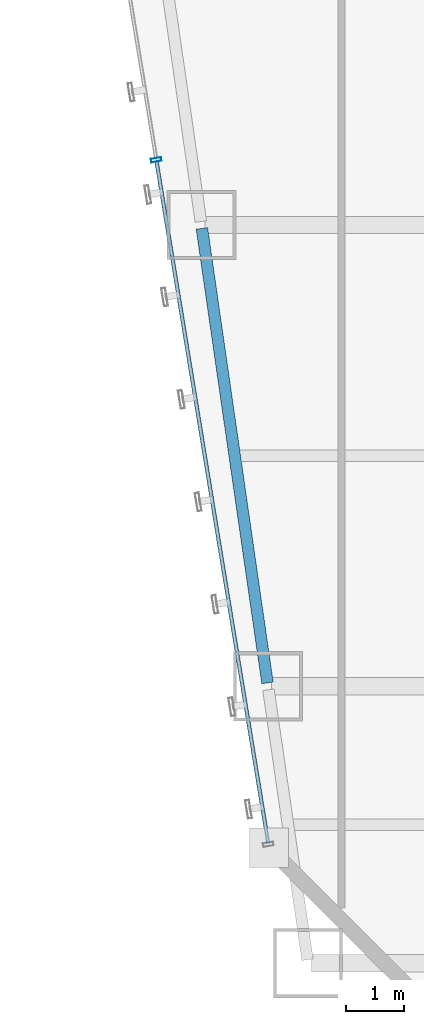
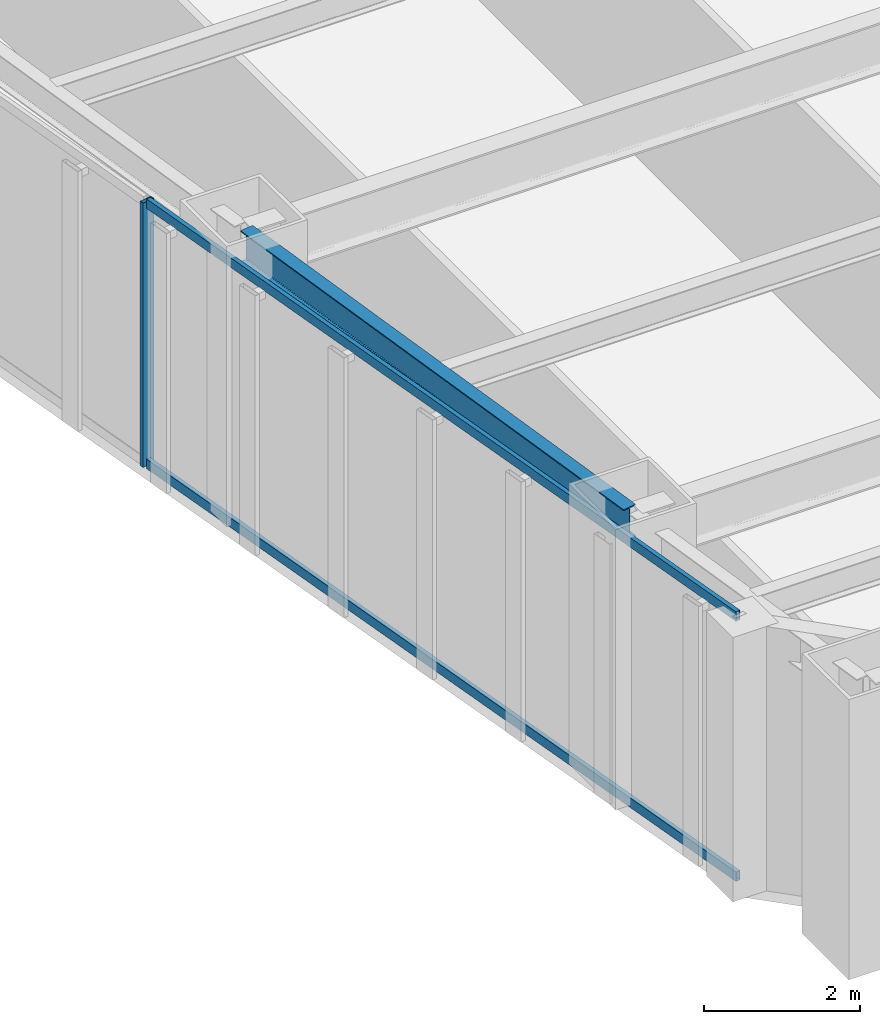
# One storey, part 5 of 47: 3 members, 1 beam, 1 element without a shape of its own.
"""IFC4 building model written with IfcOpenShell, lengths in metres."""

from ifc_helpers import new_model, si_unit, direction, frame, origin, origin_2d, place, context, subcontext, project, spatial, hollow_rectangle, i_section, extrude, material, material_profile, profile_set, type_object, element, aggregate, save


model = new_model("IFC4")

# Units and contexts
model_context = context("Model", 3, precision=1e-05, world=origin(), true_north=direction((0.0, 1.0)))
body_context = subcontext(model_context, "Body", "Model", "MODEL_VIEW")
ifc_project = project(units=[si_unit("LENGTHUNIT", "METRE"), si_unit("AREAUNIT", "SQUARE_METRE"), si_unit("VOLUMEUNIT", "CUBIC_METRE"), si_unit("PLANEANGLEUNIT", "RADIAN"), si_unit("MASSUNIT", "GRAM", prefix="KILO")], contexts=[model_context])

# Site, building, storey
site_placement = place(None, origin())
site = spatial("IfcSite", under=ifc_project, at=site_placement, CompositionType="ELEMENT")
building_placement = place(site_placement, origin())
building = spatial("IfcBuilding", under=site, at=building_placement, Name="Saevonmaru Cultural Tower", CompositionType="ELEMENT")
storey_placement = place(building_placement, frame((0.0, 0.0, 42.800048828125)))
storey = spatial("IfcBuildingStorey", under=building, at=storey_placement, Name="L08", CompositionType="ELEMENT", Elevation=42.800048828125)

# Beam
ifc_material_1 = material(Name="Steel SM355", Category="steel")
ifc_material_profile_1 = material_profile(ifc_material_1, i_section(OverallWidth=0.199951171875, OverallDepth=0.5, WebThickness=0.010009765625, FlangeThickness=0.01611328125, FilletRadius=0.02001953125, at=origin_2d()), Name="H-500x200x10x16")
ifc_profile_set_1 = profile_set([ifc_material_profile_1], Name="Steel SM355")
beam_type = type_object("IfcBeamType", Name="BM-SP-H500", PredefinedType="SPANDREL", material=ifc_profile_set_1)
beam_placement = place(storey_placement, frame((11.7744140625, 8.059326171875, 3.89990234375), z_axis=(-0.142871999001, 0.989741174197, 0.0), x_axis=(-0.989741174197, -0.142871999001, 0.0)))
element("IfcBeam", 1, at=beam_placement, inside=storey, type_object=beam_type, Name="L08 West Splayed Spandrel 2", PredefinedType="SPANDREL", context=body_context, shape_type="SweptSolid", body=[
    extrude(i_section(OverallWidth=0.199951171875, OverallDepth=0.5, WebThickness=0.010009765625, FlangeThickness=0.01611328125, FilletRadius=0.02001953125, at=origin_2d()), origin(), (0.0, 0.0, 1.0), 7.963134765625),
])

# Curtain wall, members
ifc_material_2 = material(Name="Satin Bronze Anodised Aluminium", Category="aluminium")
curtain_wall_type = type_object("IfcCurtainWallType", Name="CW-TYP-A", PredefinedType="NOTDEFINED", material=ifc_material_2)
curtain_wall_placement = place(storey_placement, origin())
curtain_wall = element("IfcCurtainWall", 2, at=curtain_wall_placement, inside=storey, type_object=curtain_wall_type, Name="L08 Unitised Curtain Wall E12", PredefinedType="NOTDEFINED")
ifc_material_profile_2 = material_profile(ifc_material_2, hollow_rectangle(XDim=0.06494140625, YDim=0.179931640625, WallThickness=0.00390625, at=origin_2d()), Name="ALU-MULL-180x65x4")
ifc_profile_set_2 = profile_set([ifc_material_profile_2], Name="Satin Bronze Anodised Aluminium")
member_type_1 = type_object("IfcMemberType", Name="ML-CW-180x65", PredefinedType="MULLION", material=ifc_profile_set_2)
member_1_placement = place(storey_placement, frame((9.84521484375, 17.129638671875, 0.0), z_axis=(0.0, 0.0, 1.0), x_axis=(0.161708868641, -0.986838508472, 0.0)))
member_1 = element("IfcMember", 3, at=member_1_placement, type_object=member_type_1, Name="CW-TW-L08-E12 mullion 4", PredefinedType="MULLION", context=body_context, shape_type="SweptSolid", body=[
    extrude(hollow_rectangle(XDim=0.06494140625, YDim=0.179931640625, WallThickness=0.00390625, at=origin_2d()), origin(), (0.0, 0.0, 1.0), 4.14990234375),
])
ifc_material_profile_3 = material_profile(ifc_material_2, hollow_rectangle(XDim=0.06494140625, YDim=0.14990234375, WallThickness=0.00390625, at=origin_2d()), Name="ALU-TRAN-150x65x4")
ifc_profile_set_3 = profile_set([ifc_material_profile_3], Name="Satin Bronze Anodised Aluminium")
member_type_2 = type_object("IfcMemberType", Name="TR-CW-150x65", PredefinedType="USERDEFINED", material=ifc_profile_set_3)
member_2_placement = place(storey_placement, frame((9.850341796875, 17.097412109375, 0.032470703125), z_axis=(0.161724530373, -0.986835941925, 0.0), x_axis=(0.986835941925, 0.161724530373, 0.0)))
member_2 = element("IfcMember", 4, at=member_2_placement, type_object=member_type_2, Name="CW-TW-L08-E12 transom 4.1", ObjectType="TRANSOM", PredefinedType="USERDEFINED", context=body_context, shape_type="SweptSolid", body=[
    extrude(hollow_rectangle(XDim=0.06494140625, YDim=0.14990234375, WallThickness=0.00390625, at=origin_2d()), origin(), (0.0, 0.0, 1.0), 11.963623046875),
])
member_3_placement = place(storey_placement, frame((9.850341796875, 17.097412109375, 4.117431640625), z_axis=(0.161724530373, -0.986835941925, 0.0), x_axis=(0.986835941925, 0.161724530373, 0.0)))
member_3 = element("IfcMember", 5, at=member_3_placement, type_object=member_type_2, Name="CW-TW-L08-E12 transom 4.2", ObjectType="TRANSOM", PredefinedType="USERDEFINED", context=body_context, shape_type="SweptSolid", body=[
    extrude(hollow_rectangle(XDim=0.06494140625, YDim=0.14990234375, WallThickness=0.00390625, at=origin_2d()), origin(), (0.0, 0.0, 1.0), 11.963623046875),
])
aggregate(curtain_wall, [member_1, member_2, member_3])

save(model, "model.ifc")
